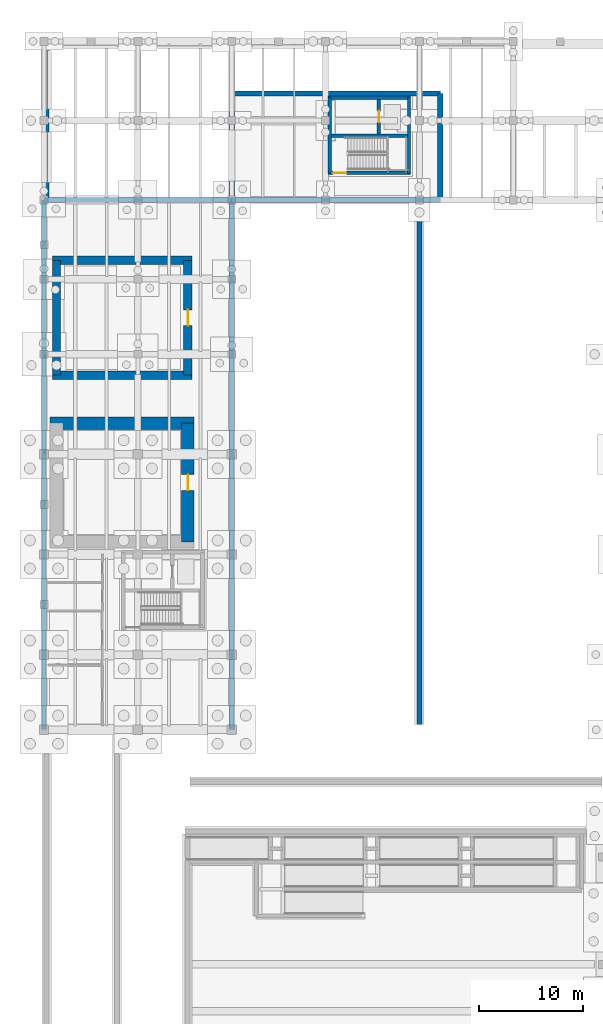
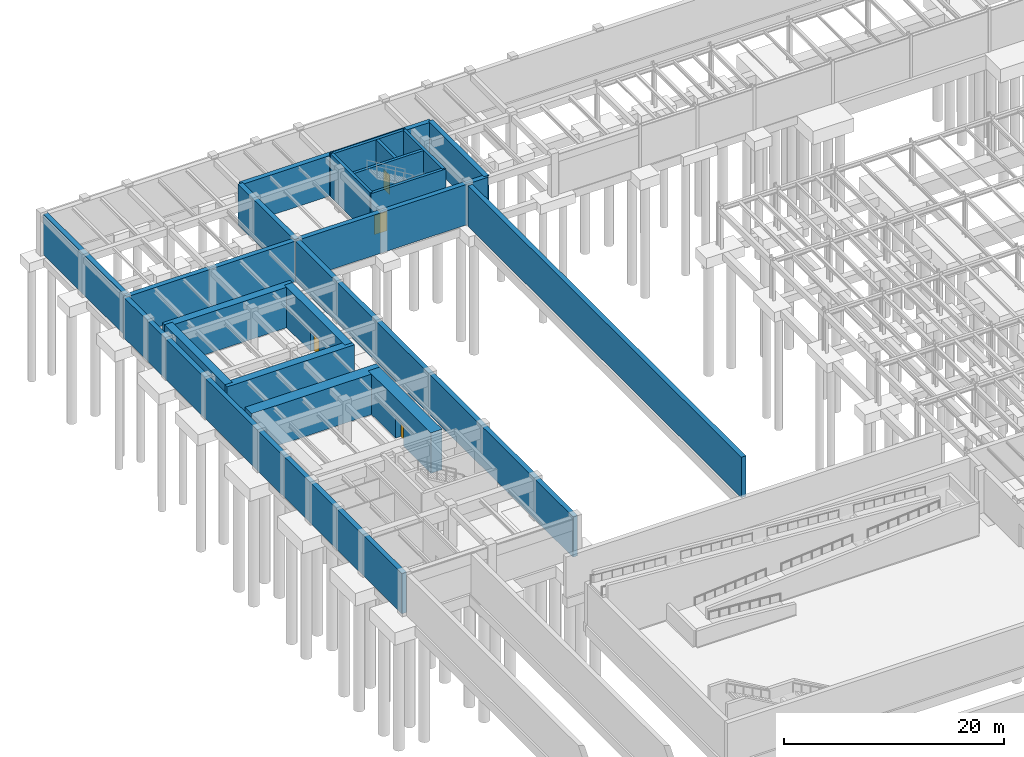
# One storey, part 45 of 59: 21 walls, 4 doors, 4 openings.
"""IFC4 building model written with IfcOpenShell, lengths in metres."""

from ifc_helpers import new_model, si_unit, direction, frame, frame_2d, origin, place, context, subcontext, project, spatial, rectangle, extrude, material, layer, layer_set, type_object, element, fill, save


model = new_model("IFC4")

# Units and contexts
model_context = context("Model", 3, precision=1e-05, world=origin(), true_north=direction((0.0, 1.0)))
body_context = subcontext(model_context, "Body", "Model", "MODEL_VIEW")
ifc_project = project(units=[si_unit("LENGTHUNIT", "METRE"), si_unit("AREAUNIT", "SQUARE_METRE"), si_unit("VOLUMEUNIT", "CUBIC_METRE"), si_unit("PLANEANGLEUNIT", "RADIAN"), si_unit("MASSUNIT", "GRAM", prefix="KILO")], contexts=[model_context])

# Site, building, storey
site_placement = place(None, origin())
site = spatial("IfcSite", under=ifc_project, at=site_placement, CompositionType="ELEMENT")
building_placement = place(site_placement, origin())
building = spatial("IfcBuilding", under=site, at=building_placement, Name="Montealbar Specialist Clinic", CompositionType="ELEMENT")
storey_placement = place(building_placement, frame((0.0, 0.0, -4.800048828125)))
storey = spatial("IfcBuildingStorey", under=building, at=storey_placement, Name="B01", CompositionType="ELEMENT", Elevation=-4.800048828125)

# Wall
ifc_material_1 = material(Name="Concrete C35/45", Category="concrete")
ifc_layer_1 = layer(ifc_material_1, 1.199951171875, Name="Concrete C35/45", Category="concrete")
ifc_layer_set_1 = layer_set([ifc_layer_1], Name="Concrete C35/45")
wall_type_1 = type_object("IfcWallType", Name="WL-BUNKER-1200", PredefinedType="SOLIDWALL", material=ifc_layer_set_1)
wall_1_placement = place(storey_placement, frame((0.60009765625, 74.39990234375, 0.0), z_axis=(0.0, 0.0, 1.0), x_axis=(1.0, 0.0, 0.0)))
element("IfcWall", 1, at=wall_1_placement, inside=storey, type_object=wall_type_1, Name="Radiotherapy LINAC Bunker Shield Wall LINAC-N", PredefinedType="SOLIDWALL", context=body_context, shape_type="SweptSolid", body=[
    extrude(rectangle(XDim=13.7998046875, YDim=1.199951171875, at=frame_2d((6.89990234375, 0.0))), origin(), (0.0, 0.0, 1.0), 4.5),
])

# Wall, opening, door
wall_2_placement = place(storey_placement, frame((13.800048828125, 63.0, 0.0), z_axis=(0.0, 0.0, 1.0), x_axis=(0.0, 1.0, 0.0)))
wall_2 = element("IfcWall", 2, at=wall_2_placement, inside=storey, type_object=wall_type_1, Name="Radiotherapy LINAC Bunker Shield Wall LINAC-E", PredefinedType="SOLIDWALL", context=body_context, shape_type="SweptSolid", body=[
    extrude(rectangle(XDim=11.39990234375, YDim=1.199951171875, at=frame_2d((5.699951171875, 0.0))), origin(), (0.0, 0.0, 1.0), 4.5),
])
opening_1_placement = place(wall_2_placement, frame((4.949951171875, 0.0, 0.0)))
opening_1 = element("IfcOpeningElement", 3, at=opening_1_placement, cuts=wall_2, Name="Opening BD-15", PredefinedType="OPENING", context=body_context, shape_type="SweptSolid", body=[
    extrude(rectangle(XDim=1.5, YDim=2.25, at=frame_2d((0.75, 1.125))), frame((0.0, 0.60986328125, 0.0), z_axis=(0.0, -1.0, 0.0), x_axis=(1.0, 0.0, 0.0)), (0.0, 0.0, 1.0), 1.219970703125),
])
ifc_material_2 = material(Name="Steel S355", Category="steel")
door_type_1 = type_object("IfcDoorType", Name="DR-BUNKER-W1500", OperationType="SINGLE_SWING_RIGHT", PredefinedType="DOOR", material=ifc_material_2)
door_1_placement = place(opening_1_placement, origin())
door_1 = element("IfcDoor", 4, at=door_1_placement, inside=storey, type_object=door_type_1, Name="LINAC Bunker Shielded Maze Door", OperationType="SINGLE_SWING_RIGHT", OverallHeight=2.25, OverallWidth=1.5, PredefinedType="DOOR", context=body_context, shape_type="SweptSolid", body=[
    extrude(rectangle(XDim=1.5, YDim=2.25, at=frame_2d((0.75, 1.125))), frame((0.0, 0.02490234375, 0.0), z_axis=(0.0, -1.0, 0.0), x_axis=(1.0, 0.0, 0.0)), (0.0, 0.0, 1.0), 0.050048828125),
])
fill(opening_1, door_1)

# Walls
ifc_layer_2 = layer(ifc_material_1, 0.800048828125, Name="Concrete C35/45", Category="concrete")
ifc_layer_set_2 = layer_set([ifc_layer_2], Name="Concrete C35/45")
wall_type_2 = type_object("IfcWallType", Name="WL-BUNKER-800", PredefinedType="SOLIDWALL", material=ifc_layer_set_2)
for number, where, z_axis, x_axis, name in (
    (5, (0.800048828125, 79.0, 0.0), (0.0, 0.0, 1.0), (1.0, 0.0, 0.0), "PET-CT Hot Lab Vault Wall PET-S"),
    (6, (0.800048828125, 90.0, 0.0), (0.0, 0.0, 1.0), (1.0, 0.0, 0.0), "PET-CT Hot Lab Vault Wall PET-N"),
):
    element("IfcWall", number, at=place(storey_placement, frame(where, z_axis=z_axis, x_axis=x_axis)), inside=storey, type_object=wall_type_2, Name=name, PredefinedType="SOLIDWALL", context=body_context, shape_type="SweptSolid", body=[
        extrude(rectangle(XDim=13.39990234375, YDim=0.800048828125, at=frame_2d((6.699951171875, 0.0))), origin(), (0.0, 0.0, 1.0), 4.5),
    ])
wall_3_placement = place(storey_placement, frame((1.199951171875, 79.0, 0.0), z_axis=(0.0, 0.0, 1.0), x_axis=(0.0, 1.0, 0.0)))
element("IfcWall", 7, at=wall_3_placement, inside=storey, type_object=wall_type_2, Name="PET-CT Hot Lab Vault Wall PET-W", PredefinedType="SOLIDWALL", context=body_context, shape_type="SweptSolid", body=[
    extrude(rectangle(XDim=11.0, YDim=0.800048828125, at=frame_2d((5.5, 0.0))), origin(), (0.0, 0.0, 1.0), 4.5),
])

# Wall, opening, door
wall_4_placement = place(storey_placement, frame((13.800048828125, 79.0, 0.0), z_axis=(0.0, 0.0, 1.0), x_axis=(0.0, 1.0, 0.0)))
wall_4 = element("IfcWall", 8, at=wall_4_placement, inside=storey, type_object=wall_type_2, Name="PET-CT Hot Lab Vault Wall PET-E", PredefinedType="SOLIDWALL", context=body_context, shape_type="SweptSolid", body=[
    extrude(rectangle(XDim=11.0, YDim=0.800048828125, at=frame_2d((5.5, 0.0))), origin(), (0.0, 0.0, 1.0), 4.5),
])
opening_2_placement = place(wall_4_placement, frame((4.75, 0.0, 0.0)))
opening_2 = element("IfcOpeningElement", 9, at=opening_2_placement, cuts=wall_4, Name="Opening BD-15", PredefinedType="OPENING", context=body_context, shape_type="SweptSolid", body=[
    extrude(rectangle(XDim=1.5, YDim=2.25, at=frame_2d((0.75, 1.125))), frame((0.0, 0.409912109375, 0.0), z_axis=(0.0, -1.0, 0.0), x_axis=(1.0, 0.0, 0.0)), (0.0, 0.0, 1.0), 0.820068359375),
])
door_2_placement = place(opening_2_placement, origin())
door_2 = element("IfcDoor", 10, at=door_2_placement, inside=storey, type_object=door_type_1, Name="PET-CT Vault Lead-Lined Door", OperationType="SINGLE_SWING_RIGHT", OverallHeight=2.25, OverallWidth=1.5, PredefinedType="DOOR", context=body_context, shape_type="SweptSolid", body=[
    extrude(rectangle(XDim=1.5, YDim=2.25, at=frame_2d((0.75, 1.125))), frame((0.0, 0.02490234375, 0.0), z_axis=(0.0, -1.0, 0.0), x_axis=(1.0, 0.0, 0.0)), (0.0, 0.0, 1.0), 0.050048828125),
])
fill(opening_2, door_2)

ifc_layer_3 = layer(ifc_material_1, 0.300048828125, Name="Concrete C35/45", Category="concrete")
ifc_layer_set_3 = layer_set([ifc_layer_3], Name="Concrete C35/45")
wall_type_3 = type_object("IfcWallType", Name="WL-CORE-300", PredefinedType="SHEAR", material=ifc_layer_set_3)
wall_5_placement = place(storey_placement, frame((27.25, 98.39990234375, 0.0), z_axis=(0.0, 0.0, 1.0), x_axis=(1.0, 0.0, 0.0)))
wall_5 = element("IfcWall", 11, at=wall_5_placement, inside=storey, type_object=wall_type_3, Name="Core C2 Shear Wall B01 S", PredefinedType="SHEAR", context=body_context, shape_type="SweptSolid", body=[
    extrude(rectangle(XDim=7.89990234375, YDim=0.300048828125, at=frame_2d((3.949951171875, 0.0))), origin(), (0.0, 0.0, 1.0), 4.800048828125),
])
opening_3_placement = place(wall_5_placement, frame((0.449951171875, 0.0, 0.0)))
opening_3 = element("IfcOpeningElement", 12, at=opening_3_placement, cuts=wall_5, Name="Opening SD-13", PredefinedType="OPENING", context=body_context, shape_type="SweptSolid", body=[
    extrude(rectangle(XDim=1.300048828125, YDim=2.14990234375, at=frame_2d((0.64990234375, 1.074951171875))), frame((0.0, 0.159912109375, 0.0), z_axis=(0.0, -1.0, 0.0), x_axis=(1.0, 0.0, 0.0)), (0.0, 0.0, 1.0), 0.320068359375),
])
door_type_2 = type_object("IfcDoorType", Name="DR-STAIR-W1300", OperationType="NOTDEFINED", PredefinedType="DOOR", material=ifc_material_2)
door_3_placement = place(opening_3_placement, frame((1.300048828125, 0.0, 0.0), z_axis=(0.0, 0.0, 1.0), x_axis=(-1.0, 0.0, 0.0)))
door_3 = element("IfcDoor", 13, at=door_3_placement, inside=storey, type_object=door_type_2, Name="Protected Core C2 Stair Fire Door B01", OperationType="SINGLE_SWING_LEFT", OverallHeight=2.14990234375, OverallWidth=1.300048828125, PredefinedType="DOOR", context=body_context, shape_type="SweptSolid", body=[
    extrude(rectangle(XDim=1.300048828125, YDim=2.14990234375, at=frame_2d((0.64990234375, 1.074951171875))), frame((0.0, 0.02490234375, 0.0), z_axis=(0.0, -1.0, 0.0), x_axis=(1.0, 0.0, 0.0)), (0.0, 0.0, 1.0), 0.050048828125),
])
fill(opening_3, door_3)

# Walls
wall_6_placement = place(storey_placement, frame((27.25, 105.60009765625, 0.0), z_axis=(0.0, 0.0, 1.0), x_axis=(1.0, 0.0, 0.0)))
element("IfcWall", 14, at=wall_6_placement, inside=storey, type_object=wall_type_3, Name="Core C2 Shear Wall B01 N", PredefinedType="SHEAR", context=body_context, shape_type="SweptSolid", body=[
    extrude(rectangle(XDim=7.89990234375, YDim=0.300048828125, at=frame_2d((3.949951171875, 0.0))), origin(), (0.0, 0.0, 1.0), 4.800048828125),
])
for number, where, z_axis, x_axis, name in (
    (15, (27.39990234375, 98.39990234375, 0.0), (0.0, 0.0, 1.0), (0.0, 1.0, 0.0), "Core C2 Shear Wall B01 W"),
    (16, (35.0, 98.39990234375, 0.0), (0.0, 0.0, 1.0), (0.0, 1.0, 0.0), "Core C2 Shear Wall B01 E"),
):
    element("IfcWall", number, at=place(storey_placement, frame(where, z_axis=z_axis, x_axis=x_axis)), inside=storey, type_object=wall_type_3, Name=name, PredefinedType="SHEAR", context=body_context, shape_type="SweptSolid", body=[
        extrude(rectangle(XDim=7.2001953125, YDim=0.300048828125, at=frame_2d((3.60009765625, 0.0))), origin(), (0.0, 0.0, 1.0), 4.800048828125),
    ])
wall_7_placement = place(storey_placement, frame((27.550048828125, 101.949951171875, 0.0), z_axis=(0.0, 0.0, 1.0), x_axis=(1.0, 0.0, 0.0)))
element("IfcWall", 17, at=wall_7_placement, inside=storey, type_object=wall_type_3, Name="Core C2 Stairwell Wall B01", PredefinedType="SHEAR", context=body_context, shape_type="SweptSolid", body=[
    extrude(rectangle(XDim=7.300048828125, YDim=0.300048828125, at=frame_2d((3.64990234375, 0.0))), origin(), (0.0, 0.0, 1.0), 4.800048828125),
])

# Wall, opening, door
wall_8_placement = place(storey_placement, frame((32.10009765625, 102.10009765625, 0.0), z_axis=(0.0, 0.0, 1.0), x_axis=(0.0, 1.0, 0.0)))
wall_8 = element("IfcWall", 18, at=wall_8_placement, inside=storey, type_object=wall_type_3, Name="Lift LF-02 Shaft Wall B01 LW", PredefinedType="SHEAR", context=body_context, shape_type="SweptSolid", body=[
    extrude(rectangle(XDim=3.349853515625, YDim=0.300048828125, at=frame_2d((1.6748046875, 0.0))), origin(), (0.0, 0.0, 1.0), 4.800048828125),
])
opening_4_placement = place(wall_8_placement, frame((1.125, 0.0, 0.0)))
opening_4 = element("IfcOpeningElement", 19, at=opening_4_placement, cuts=wall_8, Name="Opening LD-11", PredefinedType="OPENING", context=body_context, shape_type="SweptSolid", body=[
    extrude(rectangle(XDim=1.10009765625, YDim=2.14990234375, at=frame_2d((0.550048828125, 1.074951171875))), frame((0.0, 0.159912109375, 0.0), z_axis=(0.0, -1.0, 0.0), x_axis=(1.0, 0.0, 0.0)), (0.0, 0.0, 1.0), 0.320068359375),
])
door_type_3 = type_object("IfcDoorType", Name="DR-LIFT-LD1100", OperationType="DOUBLE_DOOR_SLIDING", PredefinedType="DOOR", material=ifc_material_2)
door_4_placement = place(opening_4_placement, origin())
door_4 = element("IfcDoor", 20, at=door_4_placement, inside=storey, type_object=door_type_3, Name="Lift LF-02 Sliding Landing Door B01", OperationType="DOUBLE_DOOR_SLIDING", OverallHeight=2.14990234375, OverallWidth=1.10009765625, PredefinedType="DOOR", context=body_context, shape_type="SweptSolid", body=[
    extrude(rectangle(XDim=1.10009765625, YDim=2.14990234375, at=frame_2d((0.550048828125, 1.074951171875))), frame((0.0, 0.02490234375, 0.0), z_axis=(0.0, -1.0, 0.0), x_axis=(1.0, 0.0, 0.0)), (0.0, 0.0, 1.0), 0.050048828125),
])
fill(opening_4, door_4)

# Walls
ifc_layer_4 = layer(ifc_material_1, 0.5, Name="Concrete C35/45", Category="concrete")
ifc_layer_set_4 = layer_set([ifc_layer_4], Name="Concrete C35/45")
wall_type_4 = type_object("IfcWallType", Name="WL-RET-500", PredefinedType="SOLIDWALL", material=ifc_layer_set_4)
wall_9_placement = place(storey_placement, frame((0.0, 45.0, 0.0), z_axis=(0.0, 0.0, 1.0), x_axis=(0.0, 1.0, 0.0)))
element("IfcWall", 21, at=wall_9_placement, inside=storey, type_object=wall_type_4, Name="Basement Retaining Wall B01-14", PredefinedType="SOLIDWALL", context=body_context, shape_type="SweptSolid", body=[
    extrude(rectangle(XDim=50.800048828125, YDim=0.5, at=frame_2d((25.39990234375, 0.0))), origin(), (0.0, 0.0, 1.0), 4.5),
])
wall_10_placement = place(storey_placement, frame((0.0, 95.800048828125, 0.0), z_axis=(0.0, 0.0, 1.0), x_axis=(1.0, 0.0, 0.0)))
element("IfcWall", 22, at=wall_10_placement, inside=storey, type_object=wall_type_4, Name="Basement Retaining Wall B01-15", PredefinedType="SOLIDWALL", context=body_context, shape_type="SweptSolid", body=[
    extrude(rectangle(XDim=18.0, YDim=0.5, at=frame_2d((9.0, 0.0))), origin(), (0.0, 0.0, 1.0), 4.5),
])
wall_11_placement = place(storey_placement, frame((18.0, 95.800048828125, 0.0), z_axis=(0.0, 0.0, 1.0), x_axis=(0.0, -1.0, 0.0)))
element("IfcWall", 23, at=wall_11_placement, inside=storey, type_object=wall_type_4, Name="Basement Retaining Wall B01-16", PredefinedType="SOLIDWALL", context=body_context, shape_type="SweptSolid", body=[
    extrude(rectangle(XDim=50.800048828125, YDim=0.5, at=frame_2d((25.39990234375, 0.0))), origin(), (0.0, 0.0, 1.0), 4.5),
])
wall_12_placement = place(storey_placement, frame((18.0, 95.800048828125, 0.0), z_axis=(0.0, 0.0, 1.0), x_axis=(0.0, 1.0, 0.0)))
element("IfcWall", 24, at=wall_12_placement, inside=storey, type_object=wall_type_4, Name="Basement Retaining Wall B01-18", PredefinedType="SOLIDWALL", context=body_context, shape_type="SweptSolid", body=[
    extrude(rectangle(XDim=10.199951171875, YDim=0.5, at=frame_2d((5.10009765625, 0.0))), origin(), (0.0, 0.0, 1.0), 4.5),
])
wall_13_placement = place(storey_placement, frame((18.0, 106.0, 0.0), z_axis=(0.0, 0.0, 1.0), x_axis=(1.0, 0.0, 0.0)))
element("IfcWall", 25, at=wall_13_placement, inside=storey, type_object=wall_type_4, Name="Basement Retaining Wall B01-19", PredefinedType="SOLIDWALL", context=body_context, shape_type="SweptSolid", body=[
    extrude(rectangle(XDim=20.0, YDim=0.5, at=frame_2d((10.0, 0.0))), origin(), (0.0, 0.0, 1.0), 4.5),
])
wall_14_placement = place(storey_placement, frame((38.0, 106.0, 0.0), z_axis=(0.0, 0.0, 1.0), x_axis=(0.0, -1.0, 0.0)))
element("IfcWall", 26, at=wall_14_placement, inside=storey, type_object=wall_type_4, Name="Basement Retaining Wall B01-20", PredefinedType="SOLIDWALL", context=body_context, shape_type="SweptSolid", body=[
    extrude(rectangle(XDim=10.199951171875, YDim=0.5, at=frame_2d((5.10009765625, 0.0))), origin(), (0.0, 0.0, 1.0), 4.5),
])
wall_15_placement = place(storey_placement, frame((38.0, 95.800048828125, 0.0), z_axis=(0.0, 0.0, 1.0), x_axis=(-1.0, 0.0, 0.0)))
element("IfcWall", 27, at=wall_15_placement, inside=storey, type_object=wall_type_4, Name="Basement Retaining Wall B01-21", PredefinedType="SOLIDWALL", context=body_context, shape_type="SweptSolid", body=[
    extrude(rectangle(XDim=20.0, YDim=0.5, at=frame_2d((10.0, 0.0))), origin(), (0.0, 0.0, 1.0), 4.5),
])
wall_16_placement = place(storey_placement, frame((0.25, 96.050048828125, 0.0), z_axis=(0.0, 0.0, 1.0), x_axis=(0.0, 1.0, 0.0)))
element("IfcWall", 28, at=wall_16_placement, inside=storey, type_object=wall_type_4, Name="Perimeter Plinth Retaining Wall NW-W", PredefinedType="SOLIDWALL", context=body_context, shape_type="SweptSolid", body=[
    extrude(rectangle(XDim=14.699951171875, YDim=0.5, at=frame_2d((7.35009765625, 0.0))), origin(), (0.0, 0.0, 1.0), 4.5),
])
wall_17_placement = place(storey_placement, frame((36.0, 45.5, 0.0), z_axis=(0.0, 0.0, 1.0), x_axis=(0.0, 1.0, 0.0)))
element("IfcWall", 29, at=wall_17_placement, inside=storey, type_object=wall_type_4, Name="Perimeter Plinth Retaining Wall SUP-WC1", PredefinedType="SOLIDWALL", context=body_context, shape_type="SweptSolid", body=[
    extrude(rectangle(XDim=49.800048828125, YDim=0.5, at=frame_2d((24.89990234375, 0.0))), origin(), (0.0, 0.0, 1.0), 4.5),
])

save(model, "model.ifc")
